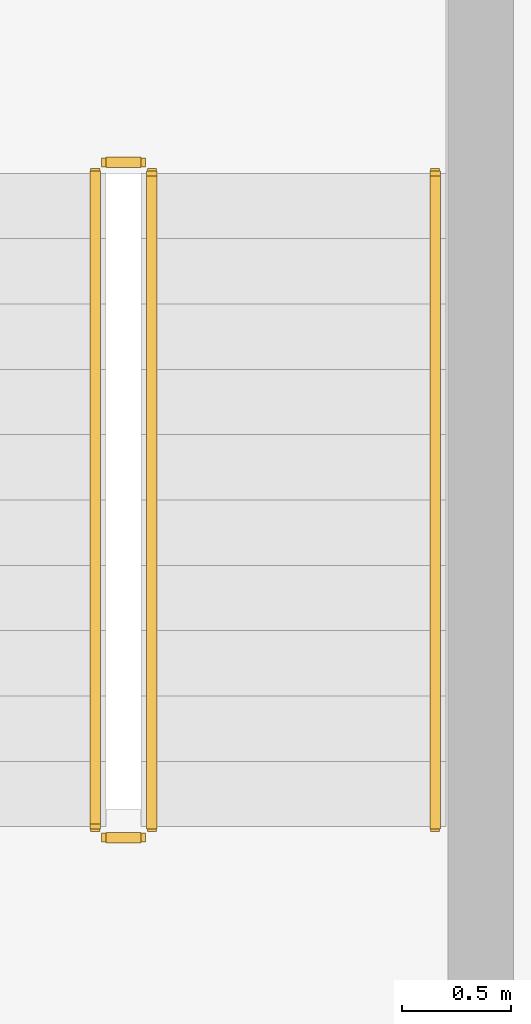
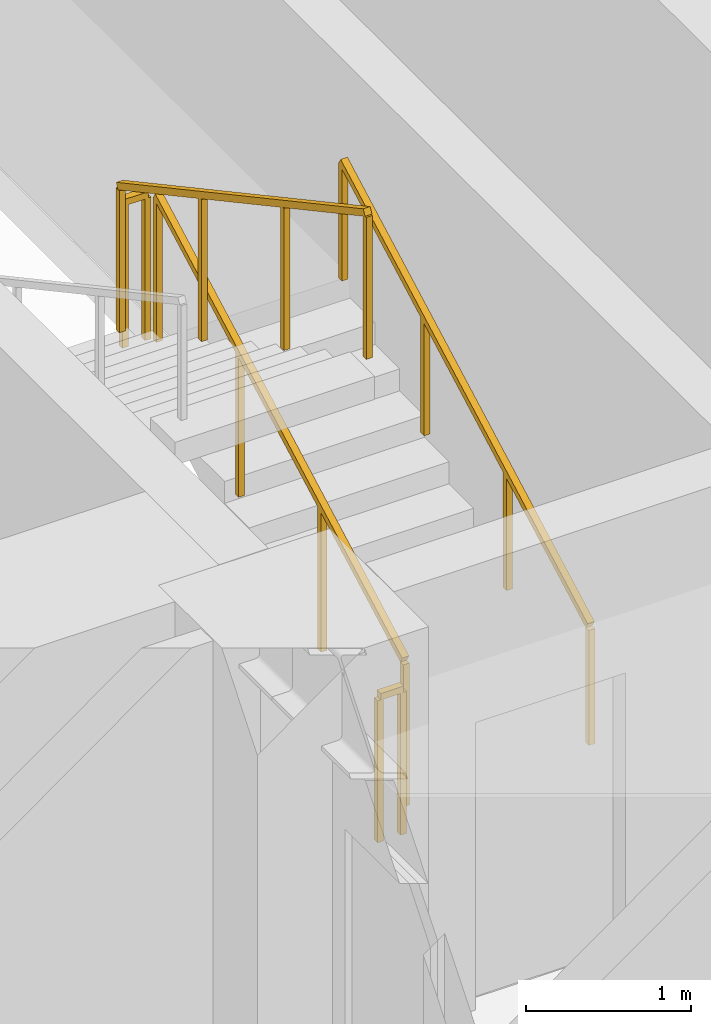
# One storey, part 8 of 14: 5 railings.
"""IFC4 building model written with IfcOpenShell, lengths in metres."""

import ifcopenshell
import ifcopenshell.guid

model = None  # the IFC model being written
_history = None  # IfcOwnerHistory: only IFC2X3 demands one
_inside = {}  # id of a spatial element -> (the spatial element, [elements in it])
_under = {}  # id of a project, library or spatial element -> (it, [spatial elements below it])
_declared = {}  # id of a project -> (the project, [libraries it declares])
_typed = {}  # id of a type object -> (the type object, [elements of that type])
_made_of = {}  # id of a material, layer set ... -> (it, [elements and type objects made of it])


def new_model(schema):
    """Start an empty IFC model of exactly this schema.

    Asked for "IFC4X3", IfcOpenShell would pick the latest addendum, in which some entities
    have other attributes; the version numbers below select the first issue.
    IFC2X3 requires an IfcOwnerHistory on every rooted entity: one is made here for all.
    """
    global model, _history
    if schema == "IFC4X3":
        model = ifcopenshell.file(schema_version=(4, 3, 0, 0))
    else:
        model = ifcopenshell.file(schema=schema)
    _inside.clear()
    _under.clear()
    _declared.clear()
    _typed.clear()
    _made_of.clear()
    _history = None
    if model.schema == "IFC2X3":
        org = make("IfcOrganization", Name="unknown")
        user = make(
            "IfcPersonAndOrganization",
            ThePerson=make("IfcPerson", FamilyName="unknown"),
            TheOrganization=org,
        )
        app = make(
            "IfcApplication",
            ApplicationDeveloper=org,
            Version="unknown",
            ApplicationFullName="unknown",
            ApplicationIdentifier="unknown",
        )
        _history = make(
            "IfcOwnerHistory",
            OwningUser=user,
            OwningApplication=app,
            ChangeAction="ADDED",
            CreationDate=0,
        )
    return model


def make(cls, **values):
    """One entity of the class cls with the attributes given. An attribute that is None is left unset."""
    return model.create_entity(
        cls, **{name: value for name, value in values.items() if value is not None}
    )


def rooted(cls, **values):
    """An entity with a GlobalId (a new one), such as an element, a storey or a relation."""
    return make(cls, GlobalId=ifcopenshell.guid.new(), OwnerHistory=_history, **values)


def si_unit(unit_type, name, prefix=None):
    """IfcSIUnit, for example si_unit("LENGTHUNIT", "METRE", prefix="MILLI")."""
    return make("IfcSIUnit", UnitType=unit_type, Prefix=prefix, Name=name)


def assignment(units):
    """IfcUnitAssignment: the units of a project."""
    return None if units is None else make("IfcUnitAssignment", Units=units)


def point(xyz):
    """IfcCartesianPoint."""
    return None if xyz is None else make("IfcCartesianPoint", Coordinates=xyz)


def direction(xyz):
    """IfcDirection."""
    return None if xyz is None else make("IfcDirection", DirectionRatios=xyz)


def frame(location, z_axis=None, x_axis=None):
    """IfcAxis2Placement3D, a coordinate frame: its origin and axes. An axis left out is left unset."""
    return make(
        "IfcAxis2Placement3D",
        Location=point(location),
        Axis=direction(z_axis),
        RefDirection=direction(x_axis),
    )


def frame_2d(location, x_axis=None):
    """IfcAxis2Placement2D, a coordinate frame in the plane: its origin and x axis."""
    return make(
        "IfcAxis2Placement2D", Location=point(location), RefDirection=direction(x_axis)
    )


def origin():
    """The frame at (0, 0, 0) with its axes left unset."""
    return frame((0.0, 0.0, 0.0))


def origin_2d():
    """The frame at (0, 0) in the plane with its x axis left unset."""
    return frame_2d((0.0, 0.0))


def place(relative_to, where):
    """IfcLocalPlacement: puts the frame where relative to a parent placement (None: the world)."""
    return make(
        "IfcLocalPlacement", PlacementRelTo=relative_to, RelativePlacement=where
    )


def context(
    kind, dimensions, precision=None, world=None, true_north=None, identifier=None
):
    """IfcGeometricRepresentationContext, for example the 3D "Model" context."""
    return make(
        "IfcGeometricRepresentationContext",
        ContextIdentifier=identifier,
        ContextType=kind,
        CoordinateSpaceDimension=dimensions,
        Precision=precision,
        WorldCoordinateSystem=world,
        TrueNorth=true_north,
    )


def subcontext(parent, identifier, kind, view, scale=None):
    """IfcGeometricRepresentationSubContext, for example "Body" below "Model"."""
    return make(
        "IfcGeometricRepresentationSubContext",
        ContextIdentifier=identifier,
        ContextType=kind,
        ParentContext=parent,
        TargetScale=scale,
        TargetView=view,
    )


def project(units=None, contexts=None):
    """IfcProject with its units and contexts."""
    return rooted(
        "IfcProject",
        Name="project",
        RepresentationContexts=contexts,
        UnitsInContext=assignment(units),
    )


def spatial(cls, under=None, at=None, **own):
    """A site, building, storey or space (cls), placed at a placement, below another one or the project."""
    s = rooted(cls, ObjectPlacement=at, **own)
    if under is not None:
        _under.setdefault(under.id(), (under, []))[1].append(s)
    return s


def profile(cls, at=None, kind="AREA", **sizes):
    """A parametric profile (cls). Its sizes go by their IFC names, for example OverallWidth=200.0."""
    return make(cls, ProfileType=kind, Position=at, **sizes)


def rectangle(**sizes):
    """IfcRectangleProfileDef."""
    return profile("IfcRectangleProfileDef", **sizes)


def extrude(swept, where, along, depth):
    """IfcExtrudedAreaSolid: the profile swept, set in the frame where, extruded along a direction by depth."""
    return make(
        "IfcExtrudedAreaSolid",
        SweptArea=swept,
        Position=where,
        ExtrudedDirection=direction(along),
        Depth=depth,
    )


def shape(context_of_items, identifier, shape_type, items):
    """IfcShapeRepresentation: the items that make up one representation, for example the "Body"."""
    return make(
        "IfcShapeRepresentation",
        ContextOfItems=context_of_items,
        RepresentationIdentifier=identifier,
        RepresentationType=shape_type,
        Items=items,
    )


def material(Name=None, Category=None):
    """IfcMaterial."""
    return make("IfcMaterial", Name=Name, Category=Category)


def made_of(thing, what):
    """Note that an element or type object is made of a material, layer set ...; save() writes the relation."""
    if what is not None:
        _made_of.setdefault(what.id(), (what, []))[1].append(thing)
    return thing


def type_object(cls, material=None, **own):
    """A type object (cls), such as IfcWallType, which elements share."""
    return made_of(rooted(cls, **own), material)


def element(
    cls,
    number,
    at=None,
    inside=None,
    cuts=None,
    type_object=None,
    material=None,
    context=None,
    identifier="Body",
    shape_type=None,
    held_by="IfcProductDefinitionShape",
    body=None,
    shapes=None,
    **own,
):
    """One element of the class cls, such as IfcWall. Its Tag is "e" and its number.

    at: its placement. inside: the storey or other place that contains it. cuts: it is an
    opening in that element (IfcRelVoidsElement). A single representation is given by context,
    identifier, shape_type and body (its items); several are given by shapes. held_by: the class
    of the entity that holds the representations. save() writes the other relations.
    """
    e = rooted(cls, Tag="e%d" % number, ObjectPlacement=at, **own)
    if body is not None:
        shapes = [shape(context, identifier, shape_type, body)]
    if shapes is not None:
        e.Representation = make(held_by, Representations=shapes)
    if inside is not None:
        _inside.setdefault(inside.id(), (inside, []))[1].append(e)
    if cuts is not None:
        rooted(
            "IfcRelVoidsElement", RelatingBuildingElement=cuts, RelatedOpeningElement=e
        )
    if type_object is not None:
        _typed.setdefault(type_object.id(), (type_object, []))[1].append(e)
    return made_of(e, material)


def aggregate(whole, parts):
    """IfcRelAggregates: a whole, such as a stair, and the parts it consists of."""
    return rooted("IfcRelAggregates", RelatingObject=whole, RelatedObjects=parts)


def save(model, path):
    """Write the relations noted so far, then the file.

    IfcRelAggregates (storeys below a building ...), IfcRelContainedInSpatialStructure (elements
    in a storey), IfcRelDefinesByType, IfcRelAssociatesMaterial and IfcRelDeclares: one each for
    every whole, place, type object, material and project.
    """
    for whole, parts in _under.values():
        aggregate(whole, parts)
    for where, things in _inside.values():
        rooted(
            "IfcRelContainedInSpatialStructure",
            RelatedElements=things,
            RelatingStructure=where,
        )
    for kind, things in _typed.values():
        rooted("IfcRelDefinesByType", RelatedObjects=things, RelatingType=kind)
    for what, things in _made_of.values():
        rooted("IfcRelAssociatesMaterial", RelatedObjects=things, RelatingMaterial=what)
    for by, libraries in _declared.values():
        rooted("IfcRelDeclares", RelatingContext=by, RelatedDefinitions=libraries)
    model.write(path)


model = new_model("IFC4")

# Units and contexts
model_context = context("Model", 3, precision=1e-05, world=origin(), true_north=direction((0.0, 1.0)))
body_context = subcontext(model_context, "Body", "Model", "MODEL_VIEW")
ifc_project = project(units=[si_unit("LENGTHUNIT", "METRE"), si_unit("AREAUNIT", "SQUARE_METRE"), si_unit("VOLUMEUNIT", "CUBIC_METRE"), si_unit("PLANEANGLEUNIT", "RADIAN"), si_unit("MASSUNIT", "GRAM", prefix="KILO")], contexts=[model_context])

# Site, building, storey
site_placement = place(None, origin())
site = spatial("IfcSite", under=ifc_project, at=site_placement, CompositionType="ELEMENT")
building_placement = place(site_placement, origin())
building = spatial("IfcBuilding", under=site, at=building_placement, Name="Zulmaris Gate Convention Tower", CompositionType="ELEMENT")
storey_placement = place(building_placement, frame((0.0, 0.0, 60.760009765625)))
storey = spatial("IfcBuildingStorey", under=building, at=storey_placement, Name="L14", CompositionType="ELEMENT", Elevation=60.760009765625)

# Railings
ifc_material_1 = material(Name="Painted Galvanised Steel", Category="steel")
railing_type_1 = type_object("IfcRailingType", Name="RL-STG-1150", PredefinedType="GUARDRAIL", material=ifc_material_1)
railing_1_placement = place(storey_placement, frame((-18.2099609375, -8.199951171875, 0.162353515625)))
element("IfcRailing", 1, at=railing_1_placement, inside=storey, type_object=railing_type_1, Name="L14 ST-3 stair guard 1", PredefinedType="GUARDRAIL", context=body_context, shape_type="SweptSolid", body=[
    extrude(rectangle(XDim=0.048095703125, YDim=0.048095703125, at=origin_2d()), frame((0.0, 0.0, 1.076171875), z_axis=(0.0, 0.879591569277, 0.475729619907), x_axis=(-1.0, 0.0, 0.0)), (0.0, 0.0, 1.0), 3.41064453125),
    extrude(rectangle(XDim=0.0419921875, YDim=0.0419921875, at=origin_2d()), origin(), (0.0, 0.0, 1.0), 1.052001953125),
    extrude(rectangle(XDim=0.0419921875, YDim=0.0419921875, at=origin_2d()), frame((0.0, 1.0, 0.540771484375)), (0.0, 0.0, 1.0), 1.052001953125),
    extrude(rectangle(XDim=0.0419921875, YDim=0.0419921875, at=origin_2d()), frame((0.0, 2.0, 1.081787109375)), (0.0, 0.0, 1.0), 1.052001953125),
    extrude(rectangle(XDim=0.0419921875, YDim=0.0419921875, at=origin_2d()), frame((0.0, 3.0, 1.62255859375)), (0.0, 0.0, 1.0), 1.052001953125),
])
railing_2_placement = place(storey_placement, frame((-18.260009765625, -5.14990234375, 1.784912109375)))
element("IfcRailing", 2, at=railing_2_placement, inside=storey, type_object=railing_type_1, Name="L14 ST-3 stair guard 2", PredefinedType="GUARDRAIL", context=body_context, shape_type="SweptSolid", body=[
    extrude(rectangle(XDim=0.048095703125, YDim=0.048095703125, at=origin_2d()), frame((0.0, 0.0, 1.076171875), z_axis=(-1.0, 0.0, 0.0), x_axis=(0.0, -1.0, 0.0)), (0.0, 0.0, 1.0), 0.159912109375),
    extrude(rectangle(XDim=0.0419921875, YDim=0.0419921875, at=origin_2d()), origin(), (0.0, 0.0, 1.0), 1.052001953125),
    extrude(rectangle(XDim=0.0419921875, YDim=0.0419921875, at=origin_2d()), frame((-0.159912109375, 0.0, 0.0)), (0.0, 0.0, 1.0), 1.052001953125),
])
railing_3_placement = place(storey_placement, frame((-18.469970703125, -5.199951171875, 1.947265625)))
element("IfcRailing", 3, at=railing_3_placement, inside=storey, type_object=railing_type_1, Name="L14 ST-3 stair guard 3", PredefinedType="GUARDRAIL", context=body_context, shape_type="SweptSolid", body=[
    extrude(rectangle(XDim=0.048095703125, YDim=0.048095703125, at=origin_2d()), frame((0.0, 0.0, 1.076171875), z_axis=(0.0, -0.879591569277, 0.475729619907), x_axis=(1.0, 0.0, 0.0)), (0.0, 0.0, 1.0), 3.41064453125),
    extrude(rectangle(XDim=0.0419921875, YDim=0.0419921875, at=origin_2d()), origin(), (0.0, 0.0, 1.0), 1.052001953125),
    extrude(rectangle(XDim=0.0419921875, YDim=0.0419921875, at=origin_2d()), frame((0.0, -1.0, 0.540771484375)), (0.0, 0.0, 1.0), 1.052001953125),
    extrude(rectangle(XDim=0.0419921875, YDim=0.0419921875, at=origin_2d()), frame((0.0, -2.0, 1.081787109375)), (0.0, 0.0, 1.0), 1.052001953125),
    extrude(rectangle(XDim=0.0419921875, YDim=0.0419921875, at=origin_2d()), frame((0.0, -3.0, 1.62255859375)), (0.0, 0.0, 1.0), 1.052001953125),
])
railing_4_placement = place(storey_placement, frame((-18.260009765625, -8.25, 0.0)))
element("IfcRailing", 4, at=railing_4_placement, inside=storey, type_object=railing_type_1, Name="L14 ST-3 stair guard 4", PredefinedType="GUARDRAIL", context=body_context, shape_type="SweptSolid", body=[
    extrude(rectangle(XDim=0.048095703125, YDim=0.048095703125, at=origin_2d()), frame((0.0, 0.0, 1.076171875), z_axis=(-1.0, 0.0, 0.0), x_axis=(0.0, -1.0, 0.0)), (0.0, 0.0, 1.0), 0.159912109375),
    extrude(rectangle(XDim=0.0419921875, YDim=0.0419921875, at=origin_2d()), origin(), (0.0, 0.0, 1.0), 1.052001953125),
    extrude(rectangle(XDim=0.0419921875, YDim=0.0419921875, at=origin_2d()), frame((-0.159912109375, 0.0, 0.0)), (0.0, 0.0, 1.0), 1.052001953125),
])
ifc_material_2 = material(Name="Brushed Stainless Steel", Category="steel")
railing_type_2 = type_object("IfcRailingType", Name="RL-STH-900", PredefinedType="HANDRAIL", material=ifc_material_2)
railing_5_placement = place(storey_placement, frame((-16.909912109375, -8.199951171875, 0.162353515625)))
element("IfcRailing", 5, at=railing_5_placement, inside=storey, type_object=railing_type_2, Name="L14 ST-3 stair handrail 1", PredefinedType="HANDRAIL", context=body_context, shape_type="SweptSolid", body=[
    extrude(rectangle(XDim=0.048095703125, YDim=0.048095703125, at=origin_2d()), frame((0.0, 0.0, 0.8759765625), z_axis=(0.0, 0.879591569277, 0.475729619907), x_axis=(-1.0, 0.0, 0.0)), (0.0, 0.0, 1.0), 3.41064453125),
    extrude(rectangle(XDim=0.0419921875, YDim=0.0419921875, at=origin_2d()), origin(), (0.0, 0.0, 1.0), 0.851806640625),
    extrude(rectangle(XDim=0.0419921875, YDim=0.0419921875, at=origin_2d()), frame((0.0, 1.0, 0.540771484375)), (0.0, 0.0, 1.0), 0.851806640625),
    extrude(rectangle(XDim=0.0419921875, YDim=0.0419921875, at=origin_2d()), frame((0.0, 2.0, 1.081787109375)), (0.0, 0.0, 1.0), 0.851806640625),
    extrude(rectangle(XDim=0.0419921875, YDim=0.0419921875, at=origin_2d()), frame((0.0, 3.0, 1.62255859375)), (0.0, 0.0, 1.0), 0.851806640625),
])

save(model, "model.ifc")
